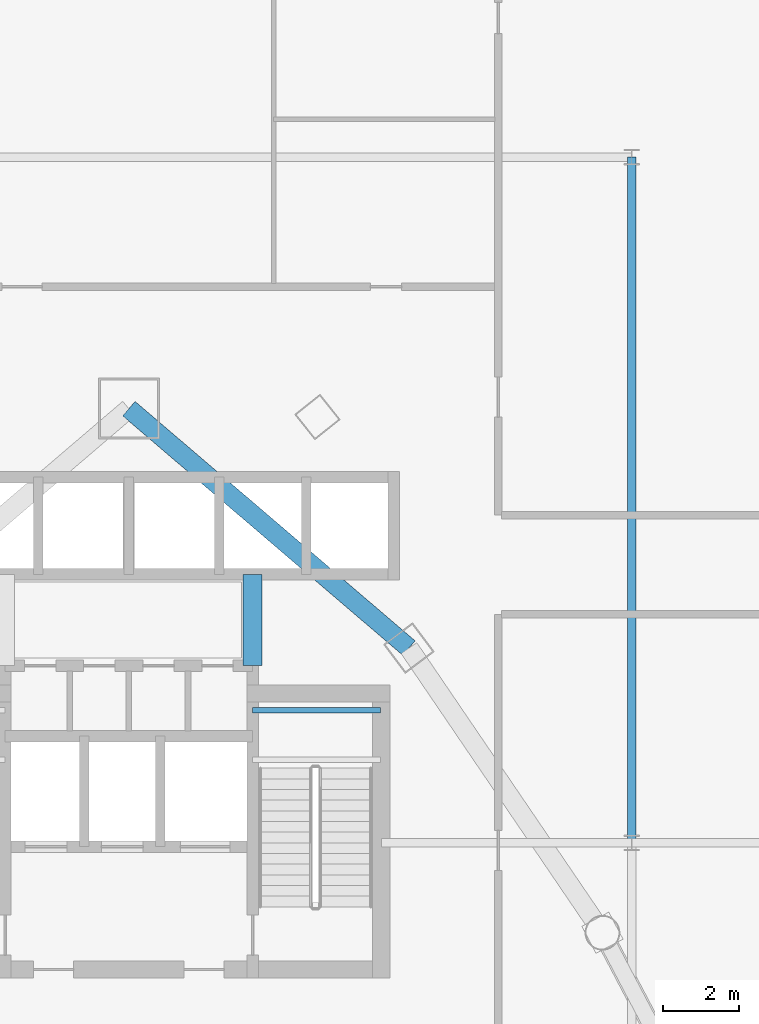
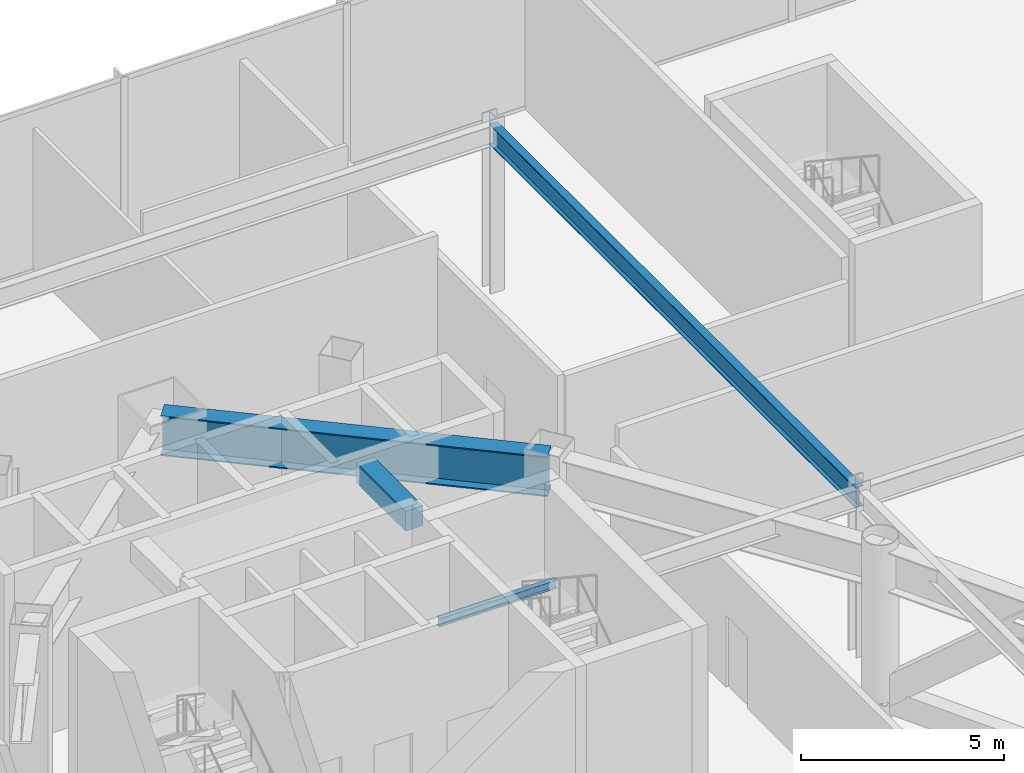
# One storey, part 27 of 43: 4 beams.
"""IFC4 building model written with IfcOpenShell, lengths in metres."""

from ifc_helpers import new_model, si_unit, direction, frame, origin, origin_2d, place, context, subcontext, project, spatial, rectangle, i_section, extrude, material, material_profile, profile_set, type_object, element, save


model = new_model("IFC4")

# Units and contexts
model_context = context("Model", 3, precision=1e-05, world=origin(), true_north=direction((0.0, 1.0)))
body_context = subcontext(model_context, "Body", "Model", "MODEL_VIEW")
ifc_project = project(units=[si_unit("LENGTHUNIT", "METRE"), si_unit("AREAUNIT", "SQUARE_METRE"), si_unit("VOLUMEUNIT", "CUBIC_METRE"), si_unit("PLANEANGLEUNIT", "RADIAN"), si_unit("MASSUNIT", "GRAM", prefix="KILO")], contexts=[model_context])

# Site, building, storey
site_placement = place(None, origin())
site = spatial("IfcSite", under=ifc_project, at=site_placement, CompositionType="ELEMENT")
building_placement = place(site_placement, origin())
building = spatial("IfcBuilding", under=site, at=building_placement, Name="Orvanel Arch Residences", CompositionType="ELEMENT")
storey_placement = place(building_placement, frame((0.0, 0.0, 18.39990234375)))
storey = spatial("IfcBuildingStorey", under=building, at=storey_placement, Name="L04", CompositionType="ELEMENT", Elevation=18.39990234375)

# Beams
ifc_material_1 = material(Name="Structural steel AS/NZS 3679.1 Grade 300 (300 MPa)", Category="steel")
ifc_material_profile_1 = material_profile(ifc_material_1, i_section(OverallWidth=0.22900390625, OverallDepth=0.612060546875, WebThickness=0.011962890625, FlangeThickness=0.01953125, at=origin_2d()), Name="610UB125")
ifc_profile_set_1 = profile_set([ifc_material_profile_1], Name="Structural steel AS/NZS 3679.1 Grade 300 (300 MPa)")
beam_type_1 = type_object("IfcBeamType", Name="BG-610UB", PredefinedType="BEAM", material=ifc_profile_set_1)
beam_1_placement = place(storey_placement, frame((46.199951171875, 30.0, 4.654052734375), z_axis=(0.0, 1.0, 0.0), x_axis=(-1.0, 0.0, 0.0)))
element("IfcBeam", 1, at=beam_1_placement, inside=storey, type_object=beam_type_1, Name="L04 North-South Podium Girder XE46-N", PredefinedType="BEAM", context=body_context, shape_type="SweptSolid", body=[
    extrude(i_section(OverallWidth=0.22900390625, OverallDepth=0.612060546875, WebThickness=0.011962890625, FlangeThickness=0.01953125, at=origin_2d()), origin(), (0.0, 0.0, 1.0), 18.0),
])
ifc_material_profile_2 = material_profile(ifc_material_1, i_section(OverallWidth=0.14599609375, OverallDepth=0.251953125, WebThickness=0.006103515625, FlangeThickness=0.008544921875, at=origin_2d()), Name="250UB31.4")
ifc_profile_set_2 = profile_set([ifc_material_profile_2], Name="Structural steel AS/NZS 3679.1 Grade 300 (300 MPa)")
beam_type_2 = type_object("IfcBeamType", Name="BJ-250UB", PredefinedType="JOIST", material=ifc_profile_set_2)
beam_2_placement = place(storey_placement, frame((36.25, 33.47998046875, 2.274169921875), z_axis=(1.0, 0.0, 0.0), x_axis=(0.0, 1.0, 0.0)))
element("IfcBeam", 2, at=beam_2_placement, inside=storey, type_object=beam_type_2, Name="L04 ST-2 Half-Landing Support Beam 1.2", PredefinedType="JOIST", context=body_context, shape_type="SweptSolid", body=[
    extrude(i_section(OverallWidth=0.14599609375, OverallDepth=0.251953125, WebThickness=0.006103515625, FlangeThickness=0.008544921875, at=origin_2d()), origin(), (0.0, 0.0, 1.0), 3.35009765625),
])
ifc_material_2 = material(Name="Concrete S65 (65 MPa)", Category="concrete")
ifc_material_profile_3 = material_profile(ifc_material_2, rectangle(XDim=0.5, YDim=0.60009765625, at=origin_2d()), Name="RC500x600")
ifc_profile_set_3 = profile_set([ifc_material_profile_3], Name="Concrete S65 (65 MPa)")
beam_type_3 = type_object("IfcBeamType", Name="CB-500x600", PredefinedType="LINTEL", material=ifc_profile_set_3)
beam_3_placement = place(storey_placement, frame((36.25, 34.64990234375, 4.66015625), z_axis=(0.0, 1.0, 0.0), x_axis=(-1.0, 0.0, 0.0)))
element("IfcBeam", 3, at=beam_3_placement, inside=storey, type_object=beam_type_3, Name="L04 East Core Lobby Coupling Lintel Beam", PredefinedType="LINTEL", context=body_context, shape_type="SweptSolid", body=[
    extrude(rectangle(XDim=0.5, YDim=0.60009765625, at=origin_2d()), origin(), (0.0, 0.0, 1.0), 2.400146484375),
])
ifc_material_3 = material(Name="Structural steel AS/NZS 3678 Grade 350", Category="steel")
ifc_material_profile_4 = material_profile(ifc_material_3, i_section(OverallWidth=0.5, OverallDepth=1.199951171875, WebThickness=0.02001953125, FlangeThickness=0.035888671875, at=origin_2d()), Name="1200WB455")
ifc_profile_set_4 = profile_set([ifc_material_profile_4], Name="Structural steel AS/NZS 3678 Grade 350")
beam_type_4 = type_object("IfcBeamType", Name="TG-1200WB", PredefinedType="USERDEFINED", material=ifc_profile_set_4)
beam_4_placement = place(storey_placement, frame((40.35205078125, 35.113037109375, 4.360107421875), z_axis=(-0.760116518398, 0.649786794617, 0.0), x_axis=(-0.649786794617, -0.760116518398, 0.0)))
element("IfcBeam", 4, at=beam_4_placement, inside=storey, type_object=beam_type_4, Name="L04 Podium Transfer Belt Girder 08", ObjectType="TRANSFER GIRDER", PredefinedType="USERDEFINED", context=body_context, shape_type="SweptSolid", body=[
    extrude(i_section(OverallWidth=0.5, OverallDepth=1.199951171875, WebThickness=0.02001953125, FlangeThickness=0.035888671875, at=origin_2d()), origin(), (0.0, 0.0, 1.0), 9.67236328125),
])

save(model, "model.ifc")
